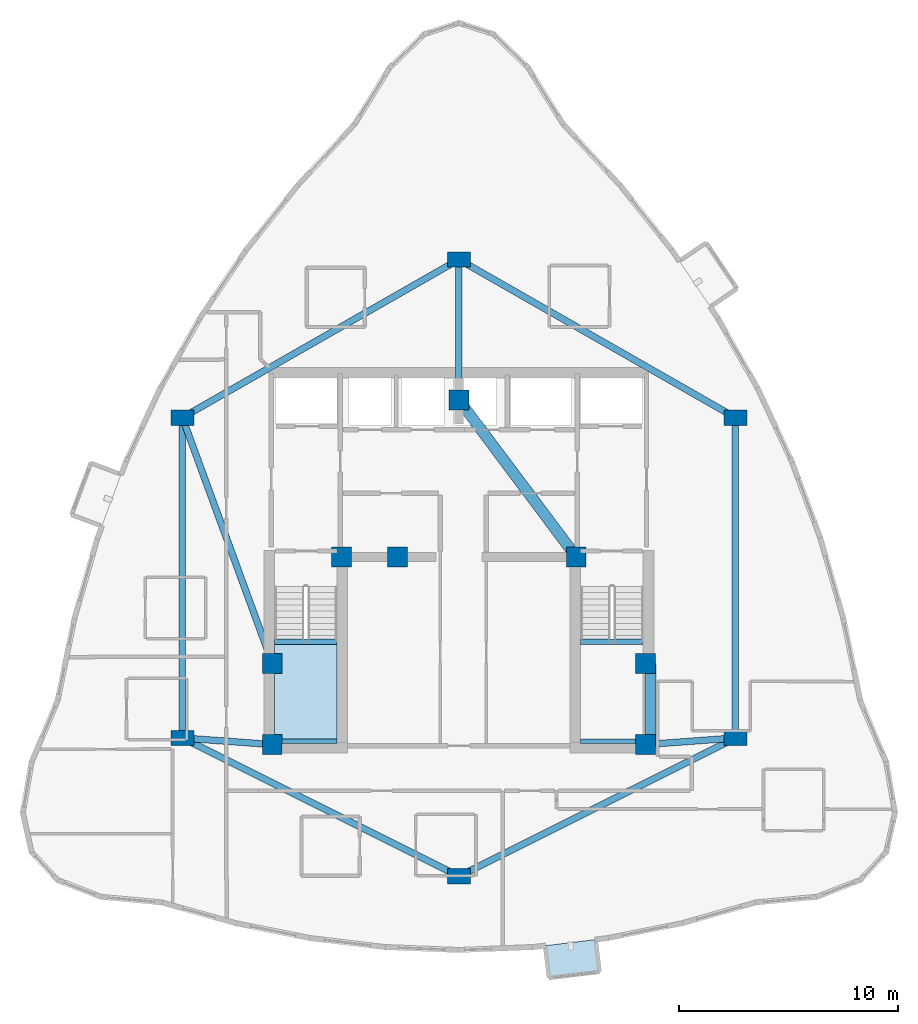
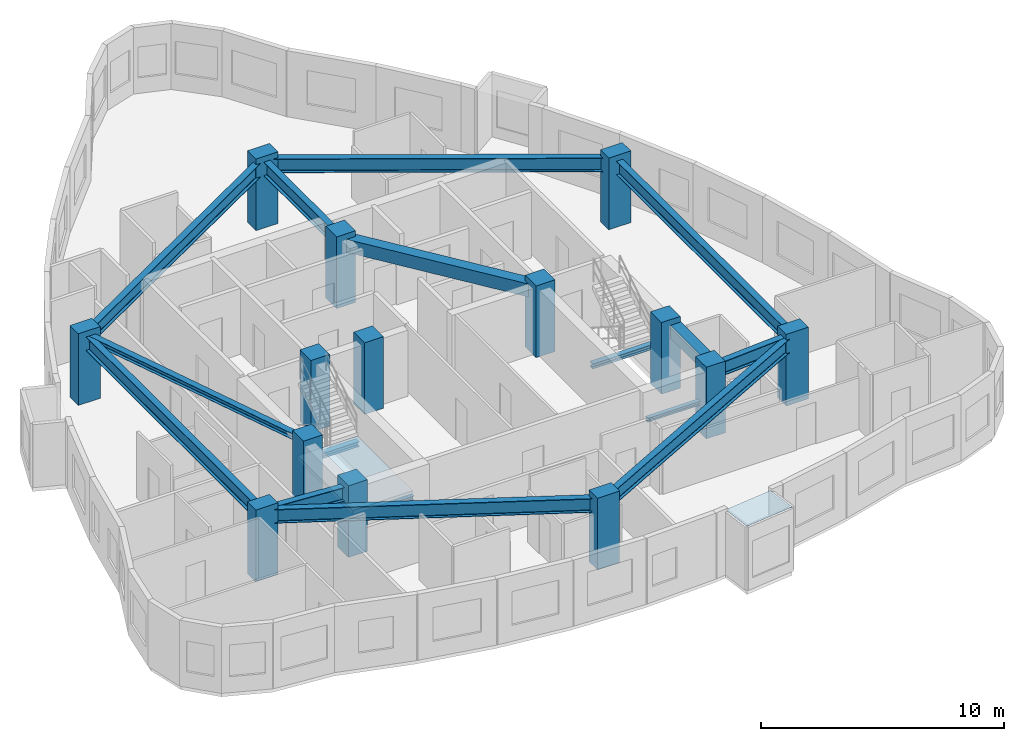
# One storey, part 1 of 12: 16 beams, 14 columns, 1 plate, 1 slab, 1 element without a shape of its own.
"""IFC4 building model written with IfcOpenShell, lengths in metres."""

from ifc_helpers import new_model, si_unit, direction, frame, origin, origin_2d, place, context, subcontext, project, spatial, polyline, rectangle, i_section, outline, extrude, material, layer, layer_set, material_profile, profile_set, type_object, element, aggregate, save


model = new_model("IFC4")

# Units and contexts
model_context = context("Model", 3, precision=1e-05, world=origin(), true_north=direction((0.0, 1.0)))
body_context = subcontext(model_context, "Body", "Model", "MODEL_VIEW")
ifc_project = project(units=[si_unit("LENGTHUNIT", "METRE"), si_unit("AREAUNIT", "SQUARE_METRE"), si_unit("VOLUMEUNIT", "CUBIC_METRE"), si_unit("PLANEANGLEUNIT", "RADIAN"), si_unit("MASSUNIT", "GRAM", prefix="KILO")], contexts=[model_context])

# Site, building, storey
site_placement = place(None, origin())
site = spatial("IfcSite", under=ifc_project, at=site_placement, CompositionType="ELEMENT")
building_placement = place(site_placement, origin())
building = spatial("IfcBuilding", under=site, at=building_placement, Name="Miruveldt Soraemaru", CompositionType="ELEMENT")
storey_placement = place(building_placement, frame((0.0, 0.0, 248.39990234375)))
storey = spatial("IfcBuildingStorey", under=building, at=storey_placement, Name="L68", CompositionType="ELEMENT", Elevation=248.39990234375)

# Columns
ifc_material_1 = material(Name="Concrete C50/60 (50 MPa)", Category="concrete")
ifc_material_profile_1 = material_profile(ifc_material_1, rectangle(XDim=0.89990234375, YDim=0.89990234375, at=origin_2d()), Name="Concrete C50/60 (50 MPa)", Category="concrete")
ifc_profile_set_1 = profile_set([ifc_material_profile_1], Name="Concrete C50/60 (50 MPa)")
column_type_1 = type_object("IfcColumnType", Name="COL-CORE-900", PredefinedType="COLUMN", material=ifc_profile_set_1)
for number, where, z_axis, x_axis, name in (
    (1, (35.5, 35.5, 0.0), (0.0, 0.0, 1.0), (1.0, 0.0, 0.0), "L68 Structural Column CC1"),
    (2, (38.64990234375, 44.050048828125, 0.0), (0.0, 0.0, 1.0), (1.0, 0.0, 0.0), "L68 Structural Column CC2"),
    (3, (52.5, 35.5, 0.0), (0.0, 0.0, 1.0), (1.0, 0.0, 0.0), "L68 Structural Column CC3"),
    (4, (52.5, 39.199951171875, 0.0), (0.0, 0.0, 1.0), (1.0, 0.0, 0.0), "L68 Structural Column CC4"),
    (5, (49.35009765625, 44.050048828125, 0.0), (0.0, 0.0, 1.0), (1.0, 0.0, 0.0), "L68 Structural Column CC5"),
    (6, (44.0, 51.199951171875, 0.0), (0.0, 0.0, 1.0), (1.0, 0.0, 0.0), "L68 Structural Column CC6"),
    (7, (35.5, 39.199951171875, 0.0), (0.0, 0.0, 1.0), (1.0, 0.0, 0.0), "L68 Structural Column CC7"),
    (8, (41.199951171875, 44.050048828125, 0.0), (0.0, 0.0, 1.0), (1.0, 0.0, 0.0), "L68 Structural Column CC8"),
):
    element("IfcColumn", number, at=place(storey_placement, frame(where, z_axis=z_axis, x_axis=x_axis)), inside=storey, type_object=column_type_1, Name=name, PredefinedType="COLUMN", context=body_context, shape_type="SweptSolid", body=[
        extrude(rectangle(XDim=0.89990234375, YDim=0.89990234375, at=origin_2d()), origin(), (0.0, 0.0, 1.0), 3.60009765625),
    ])
ifc_material_2 = material(Name="Concrete C60/75 (60 MPa)", Category="concrete")
ifc_material_profile_2 = material_profile(ifc_material_2, rectangle(XDim=1.050048828125, YDim=0.699951171875, at=origin_2d()), Name="Concrete C60/75 (60 MPa)", Category="concrete")
ifc_profile_set_2 = profile_set([ifc_material_profile_2], Name="Concrete C60/75 (60 MPa)")
column_type_2 = type_object("IfcColumnType", Name="COL-TW-Z3", PredefinedType="COLUMN", material=ifc_profile_set_2)
for number, where, z_axis, x_axis, name in (
    (9, (44.0, 57.60009765625, 0.0), (0.0, 0.0, 1.0), (1.0, 0.0, 0.0), "L68 Structural Column IR01"),
    (10, (56.60009765625, 50.39990234375, 0.0), (0.0, 0.0, 1.0), (1.0, 0.0, 0.0), "L68 Structural Column IR02"),
    (11, (56.60009765625, 35.800048828125, 0.0), (0.0, 0.0, 1.0), (1.0, 0.0, 0.0), "L68 Structural Column IR03"),
    (12, (44.0, 29.5, 0.0), (0.0, 0.0, 1.0), (1.0, 0.0, 0.0), "L68 Structural Column IR04"),
    (13, (31.39990234375, 35.800048828125, 0.0), (0.0, 0.0, 1.0), (1.0, 0.0, 0.0), "L68 Structural Column IR05"),
    (14, (31.39990234375, 50.39990234375, 0.0), (0.0, 0.0, 1.0), (1.0, 0.0, 0.0), "L68 Structural Column IR06"),
):
    element("IfcColumn", number, at=place(storey_placement, frame(where, z_axis=z_axis, x_axis=x_axis)), inside=storey, type_object=column_type_2, Name=name, PredefinedType="COLUMN", context=body_context, shape_type="SweptSolid", body=[
        extrude(rectangle(XDim=1.050048828125, YDim=0.699951171875, at=origin_2d()), origin(), (0.0, 0.0, 1.0), 3.60009765625),
    ])

# Beams
ifc_material_3 = material(Name="Steel SM355 (355 MPa)", Category="steel")
ifc_material_profile_3 = material_profile(ifc_material_3, i_section(OverallWidth=0.300048828125, OverallDepth=0.300048828125, WebThickness=0.010009765625, FlangeThickness=0.014892578125, FilletRadius=0.01806640625, at=origin_2d()), Name="Steel SM355 (355 MPa)", Category="steel")
ifc_profile_set_3 = profile_set([ifc_material_profile_3], Name="Steel SM355 (355 MPa)")
beam_type_1 = type_object("IfcBeamType", Name="BM-LNT-H300", PredefinedType="LINTEL", material=ifc_profile_set_3)
beam_1_placement = place(storey_placement, frame((31.39990234375, 50.39990234375, 3.1650390625), z_axis=(0.343770424598, -0.939053723262, 0.0), x_axis=(0.939053723262, 0.343770424598, 0.0)))
element("IfcBeam", 15, at=beam_1_placement, inside=storey, type_object=beam_type_1, Name="L68 West Lobby Lintel", PredefinedType="LINTEL", context=body_context, shape_type="SweptSolid", body=[
    extrude(i_section(OverallWidth=0.300048828125, OverallDepth=0.300048828125, WebThickness=0.010009765625, FlangeThickness=0.014892578125, FilletRadius=0.01806640625, at=origin_2d()), origin(), (0.0, 0.0, 1.0), 11.9267578125),
])
ifc_material_profile_4 = material_profile(ifc_material_1, rectangle(XDim=0.5, YDim=0.64990234375, at=origin_2d()), Name="Concrete C50/60 (50 MPa)", Category="concrete")
ifc_profile_set_4 = profile_set([ifc_material_profile_4], Name="Concrete C50/60 (50 MPa)")
beam_type_2 = type_object("IfcBeamType", Name="BM-RC-500x650", PredefinedType="BEAM", material=ifc_profile_set_4)
beam_2_placement = place(storey_placement, frame((52.72998046875, 35.5, 2.989990234375), z_axis=(0.0, 1.0, 0.0), x_axis=(-1.0, 0.0, 0.0)))
element("IfcBeam", 16, at=beam_2_placement, inside=storey, type_object=beam_type_2, Name="L68 Core Tie Beam 3", PredefinedType="BEAM", context=body_context, shape_type="SweptSolid", body=[
    extrude(rectangle(XDim=0.5, YDim=0.64990234375, at=origin_2d()), origin(), (0.0, 0.0, 1.0), 3.699951171875),
])
beam_3_placement = place(storey_placement, frame((49.35009765625, 44.050048828125, 2.989990234375), z_axis=(-0.599116023999, 0.800662219533, 0.0), x_axis=(-0.800662219533, -0.599116023999, 0.0)))
element("IfcBeam", 17, at=beam_3_placement, inside=storey, type_object=beam_type_2, Name="L68 Core Tie Beam 5", PredefinedType="BEAM", context=body_context, shape_type="SweptSolid", body=[
    extrude(rectangle(XDim=0.5, YDim=0.64990234375, at=origin_2d()), origin(), (0.0, 0.0, 1.0), 8.929931640625),
])
ifc_material_profile_5 = material_profile(ifc_material_3, i_section(OverallWidth=0.300048828125, OverallDepth=0.699951171875, WebThickness=0.012939453125, FlangeThickness=0.02392578125, FilletRadius=0.028076171875, at=origin_2d()), Name="Steel SM355 (355 MPa)", Category="steel")
ifc_profile_set_5 = profile_set([ifc_material_profile_5], Name="Steel SM355 (355 MPa)")
beam_type_3 = type_object("IfcBeamType", Name="BM-ST-H700", PredefinedType="BEAM", material=ifc_profile_set_5)
beam_4_placement = place(storey_placement, frame((44.0, 57.60009765625, 2.965087890625), z_axis=(0.868239001029, -0.496146185203, 0.0), x_axis=(0.496146185203, 0.868239001029, 0.0)))
element("IfcBeam", 18, at=beam_4_placement, inside=storey, type_object=beam_type_3, Name="L68 Inner Ring Girder 1", PredefinedType="BEAM", context=body_context, shape_type="SweptSolid", body=[
    extrude(i_section(OverallWidth=0.300048828125, OverallDepth=0.699951171875, WebThickness=0.012939453125, FlangeThickness=0.02392578125, FilletRadius=0.028076171875, at=origin_2d()), origin(), (0.0, 0.0, 1.0), 14.51220703125),
])
beam_5_placement = place(storey_placement, frame((44.0, 51.199951171875, 2.965087890625), z_axis=(0.0, 1.0, 0.0), x_axis=(-1.0, 0.0, 0.0)))
element("IfcBeam", 19, at=beam_5_placement, inside=storey, type_object=beam_type_3, Name="L68 Core-to-Inner Radial Girder 1", PredefinedType="BEAM", context=body_context, shape_type="SweptSolid", body=[
    extrude(i_section(OverallWidth=0.300048828125, OverallDepth=0.699951171875, WebThickness=0.012939453125, FlangeThickness=0.02392578125, FilletRadius=0.028076171875, at=origin_2d()), origin(), (0.0, 0.0, 1.0), 6.400146484375),
])
beam_6_placement = place(storey_placement, frame((56.60009765625, 50.39990234375, 2.965087890625), z_axis=(0.0, -1.0, 0.0), x_axis=(1.0, 0.0, 0.0)))
element("IfcBeam", 20, at=beam_6_placement, inside=storey, type_object=beam_type_3, Name="L68 Inner Ring Girder 2", PredefinedType="BEAM", context=body_context, shape_type="SweptSolid", body=[
    extrude(i_section(OverallWidth=0.300048828125, OverallDepth=0.699951171875, WebThickness=0.012939453125, FlangeThickness=0.02392578125, FilletRadius=0.028076171875, at=origin_2d()), origin(), (0.0, 0.0, 1.0), 14.599853515625),
])
beam_7_placement = place(storey_placement, frame((56.60009765625, 35.800048828125, 2.965087890625), z_axis=(-0.894427191, -0.4472135955, 0.0), x_axis=(0.4472135955, -0.894427191, 0.0)))
element("IfcBeam", 21, at=beam_7_placement, inside=storey, type_object=beam_type_3, Name="L68 Inner Ring Girder 3", PredefinedType="BEAM", context=body_context, shape_type="SweptSolid", body=[
    extrude(i_section(OverallWidth=0.300048828125, OverallDepth=0.699951171875, WebThickness=0.012939453125, FlangeThickness=0.02392578125, FilletRadius=0.028076171875, at=origin_2d()), origin(), (0.0, 0.0, 1.0), 14.08740234375),
])
beam_8_placement = place(storey_placement, frame((52.5, 35.5, 2.965087890625), z_axis=(0.997332985605, 0.072985723431, 0.0), x_axis=(-0.072985723431, 0.997332985605, 0.0)))
element("IfcBeam", 22, at=beam_8_placement, inside=storey, type_object=beam_type_3, Name="L68 Core-to-Inner Radial Girder 3", PredefinedType="BEAM", context=body_context, shape_type="SweptSolid", body=[
    extrude(i_section(OverallWidth=0.300048828125, OverallDepth=0.699951171875, WebThickness=0.012939453125, FlangeThickness=0.02392578125, FilletRadius=0.028076171875, at=origin_2d()), origin(), (0.0, 0.0, 1.0), 4.111083984375),
])
beam_9_placement = place(storey_placement, frame((44.0, 29.5, 2.965087890625), z_axis=(-0.894427191, 0.4472135955, 0.0), x_axis=(-0.4472135955, -0.894427191, 0.0)))
element("IfcBeam", 23, at=beam_9_placement, inside=storey, type_object=beam_type_3, Name="L68 Inner Ring Girder 4", PredefinedType="BEAM", context=body_context, shape_type="SweptSolid", body=[
    extrude(i_section(OverallWidth=0.300048828125, OverallDepth=0.699951171875, WebThickness=0.012939453125, FlangeThickness=0.02392578125, FilletRadius=0.028076171875, at=origin_2d()), origin(), (0.0, 0.0, 1.0), 14.08740234375),
])
beam_10_placement = place(storey_placement, frame((31.39990234375, 35.800048828125, 2.965087890625), z_axis=(0.0, 1.0, 0.0), x_axis=(-1.0, 0.0, 0.0)))
element("IfcBeam", 24, at=beam_10_placement, inside=storey, type_object=beam_type_3, Name="L68 Inner Ring Girder 5", PredefinedType="BEAM", context=body_context, shape_type="SweptSolid", body=[
    extrude(i_section(OverallWidth=0.300048828125, OverallDepth=0.699951171875, WebThickness=0.012939453125, FlangeThickness=0.02392578125, FilletRadius=0.028076171875, at=origin_2d()), origin(), (0.0, 0.0, 1.0), 14.599853515625),
])
beam_11_placement = place(storey_placement, frame((35.5, 35.5, 2.965087890625), z_axis=(-0.997332985605, 0.072985723431, 0.0), x_axis=(-0.072985723431, -0.997332985605, 0.0)))
element("IfcBeam", 25, at=beam_11_placement, inside=storey, type_object=beam_type_3, Name="L68 Core-to-Inner Radial Girder 5", PredefinedType="BEAM", context=body_context, shape_type="SweptSolid", body=[
    extrude(i_section(OverallWidth=0.300048828125, OverallDepth=0.699951171875, WebThickness=0.012939453125, FlangeThickness=0.02392578125, FilletRadius=0.028076171875, at=origin_2d()), origin(), (0.0, 0.0, 1.0), 4.111083984375),
])
beam_12_placement = place(storey_placement, frame((31.39990234375, 50.39990234375, 2.965087890625), z_axis=(0.868239001029, 0.496146185203, 0.0), x_axis=(-0.496146185203, 0.868239001029, 0.0)))
element("IfcBeam", 26, at=beam_12_placement, inside=storey, type_object=beam_type_3, Name="L68 Inner Ring Girder 6", PredefinedType="BEAM", context=body_context, shape_type="SweptSolid", body=[
    extrude(i_section(OverallWidth=0.300048828125, OverallDepth=0.699951171875, WebThickness=0.012939453125, FlangeThickness=0.02392578125, FilletRadius=0.028076171875, at=origin_2d()), origin(), (0.0, 0.0, 1.0), 14.51220703125),
])
ifc_material_profile_6 = material_profile(ifc_material_3, i_section(OverallWidth=0.199951171875, OverallDepth=0.199951171875, WebThickness=0.008056640625, FlangeThickness=0.011962890625, FilletRadius=0.012939453125, at=origin_2d()), Name="Steel SM355 (355 MPa)", Category="steel")
ifc_profile_set_6 = profile_set([ifc_material_profile_6], Name="Steel SM355 (355 MPa)")
beam_type_4 = type_object("IfcBeamType", Name="BM-ST-LND200", PredefinedType="BEAM", material=ifc_profile_set_6)
for number, where, z_axis, x_axis, name in (
    (27, (35.60009765625, 35.64990234375, 1.5), (1.0, 0.0, 0.0), (0.0, 1.0, 0.0), "L68 ST1 Landing End Beam 1B"),
    (28, (49.550048828125, 35.64990234375, 1.5), (1.0, 0.0, 0.0), (0.0, 1.0, 0.0), "L68 ST2 Landing End Beam 1B"),
):
    element("IfcBeam", number, at=place(storey_placement, frame(where, z_axis=z_axis, x_axis=x_axis)), inside=storey, type_object=beam_type_4, Name=name, PredefinedType="BEAM", context=body_context, shape_type="SweptSolid", body=[
        extrude(i_section(OverallWidth=0.199951171875, OverallDepth=0.199951171875, WebThickness=0.008056640625, FlangeThickness=0.011962890625, FilletRadius=0.012939453125, at=origin_2d()), origin(), (0.0, 0.0, 1.0), 2.849853515625),
    ])
ifc_material_profile_7 = material_profile(ifc_material_3, i_section(OverallWidth=0.25, OverallDepth=0.25, WebThickness=0.009033203125, FlangeThickness=0.013916015625, FilletRadius=0.01611328125, at=origin_2d()), Name="Steel SM355 (355 MPa)", Category="steel")
ifc_profile_set_7 = profile_set([ifc_material_profile_7], Name="Steel SM355 (355 MPa)")
beam_type_5 = type_object("IfcBeamType", Name="BM-ST-LND250", PredefinedType="BEAM", material=ifc_profile_set_7)
for number, where, z_axis, x_axis, name in (
    (29, (35.60009765625, 40.179931640625, 1.47509765625), (1.0, 0.0, 0.0), (0.0, 1.0, 0.0), "L68 ST1 Landing Support Beam 1A"),
    (30, (49.550048828125, 40.179931640625, 1.47509765625), (1.0, 0.0, 0.0), (0.0, 1.0, 0.0), "L68 ST2 Landing Support Beam 1A"),
):
    element("IfcBeam", number, at=place(storey_placement, frame(where, z_axis=z_axis, x_axis=x_axis)), inside=storey, type_object=beam_type_5, Name=name, PredefinedType="BEAM", context=body_context, shape_type="SweptSolid", body=[
        extrude(i_section(OverallWidth=0.25, OverallDepth=0.25, WebThickness=0.009033203125, FlangeThickness=0.013916015625, FilletRadius=0.01611328125, at=origin_2d()), origin(), (0.0, 0.0, 1.0), 2.849853515625),
    ])

# Plate
ifc_material_4 = material(Name="Standing-seam titanium-zinc sheet", Category="aluminium")
ifc_layer_1 = layer(ifc_material_4, 0.011962890625, Name="Standing-seam titanium-zinc sheet", Category="aluminium")
ifc_layer_set_1 = layer_set([ifc_layer_1], Name="Standing-seam titanium-zinc sheet")
plate_type = type_object("IfcPlateType", Name="PLT-ZINC-12", PredefinedType="SHEET", material=ifc_layer_set_1)
plate_placement = place(storey_placement, frame((0.0, 0.0, 3.1650390625)))
element("IfcPlate", 31, at=plate_placement, inside=storey, type_object=plate_type, Name="L68 Bay Window Zinc Hood Sheet 1", PredefinedType="SHEET", context=body_context, shape_type="SweptSolid", body=[
    extrude(outline(polyline([(47.929443359375, 26.33642578125), (50.23291015625, 26.613037109375), (50.4091796875, 25.1435546875), (48.105712890625, 24.866943359375), (47.929443359375, 26.33642578125)])), origin(), (0.0, 0.0, 1.0), 0.011962890625),
])

# Stair, slab
ifc_material_5 = material(Name="Concrete C40/50 (40 MPa)", Category="concrete")
stair_type = type_object("IfcStairType", Name="STAIR-DL-360", PredefinedType="HALF_TURN_STAIR", material=ifc_material_5)
stair_placement = place(storey_placement, origin())
stair = element("IfcStair", 32, at=stair_placement, inside=storey, type_object=stair_type, Name="L68 Protected Exit Stair ST-1", PredefinedType="HALF_TURN_STAIR")
ifc_layer_2 = layer(ifc_material_5, 0.199951171875, Name="Concrete C40/50 (40 MPa)", Category="concrete")
ifc_layer_set_2 = layer_set([ifc_layer_2], Name="Concrete C40/50 (40 MPa)")
slab_type = type_object("IfcSlabType", Name="SLAB-LAND-200", PredefinedType="LANDING", material=ifc_layer_set_2)
slab_placement = place(storey_placement, frame((0.0, 0.0, 1.60009765625)))
slab = element("IfcSlab", 33, at=slab_placement, type_object=slab_type, Name="ST-1 landing 1", PredefinedType="LANDING", context=body_context, shape_type="SweptSolid", body=[
    extrude(outline(polyline([(35.60009765625, 40.197998046875), (35.60009765625, 35.64990234375), (38.449951171875, 35.64990234375), (38.449951171875, 40.197998046875), (35.60009765625, 40.197998046875)])), origin(), (0.0, 0.0, 1.0), 0.199951171875),
])
aggregate(stair, [slab])

save(model, "model.ifc")
